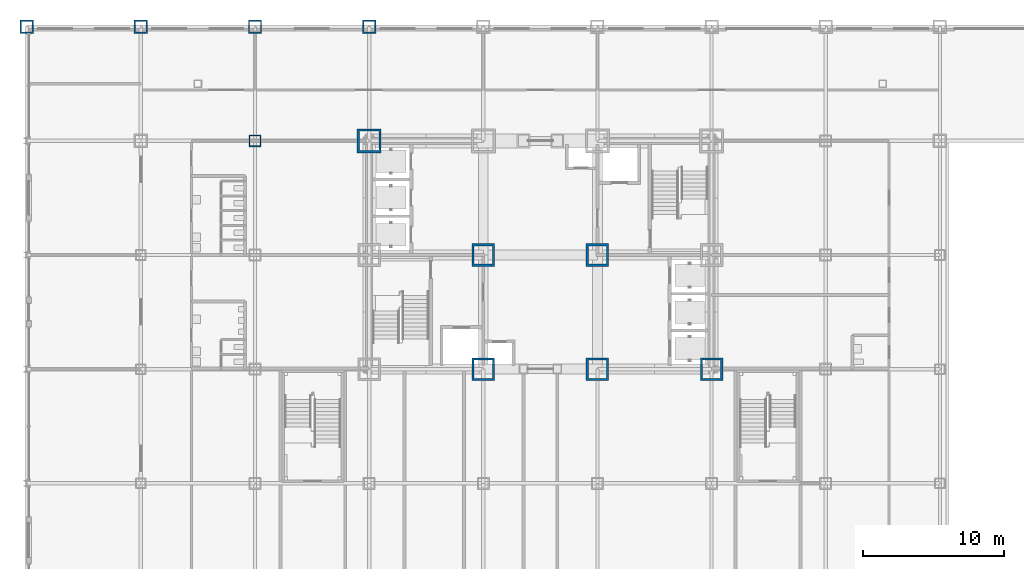
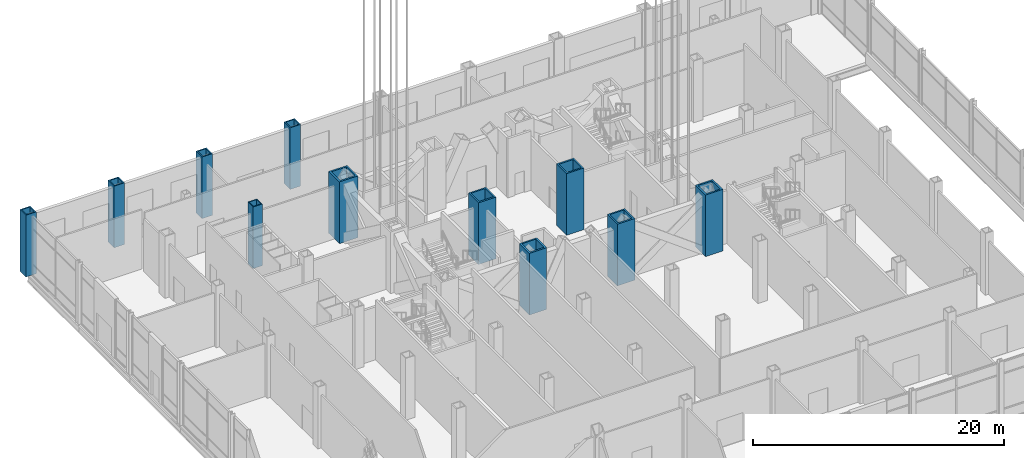
# One storey, part 6 of 35: 11 columns.
"""IFC4 building model written with IfcOpenShell, lengths in metres."""

from ifc_helpers import new_model, si_unit, direction, frame, origin, origin_2d, place, context, subcontext, project, spatial, hollow_rectangle, extrude, material, material_profile, profile_set, type_object, element, save


model = new_model("IFC4")

# Units and contexts
model_context = context("Model", 3, precision=1e-05, world=origin(), true_north=direction((0.0, 1.0)))
body_context = subcontext(model_context, "Body", "Model", "MODEL_VIEW")
ifc_project = project(units=[si_unit("LENGTHUNIT", "METRE"), si_unit("AREAUNIT", "SQUARE_METRE"), si_unit("VOLUMEUNIT", "CUBIC_METRE"), si_unit("PLANEANGLEUNIT", "RADIAN"), si_unit("MASSUNIT", "GRAM", prefix="KILO")], contexts=[model_context])

# Site, building, storey
site_placement = place(None, origin())
site = spatial("IfcSite", under=ifc_project, at=site_placement, CompositionType="ELEMENT")
building_placement = place(site_placement, origin())
building = spatial("IfcBuilding", under=site, at=building_placement, Name="Kopane Lantern Tower", CompositionType="ELEMENT")
storey_placement = place(building_placement, origin())
storey = spatial("IfcBuildingStorey", under=building, at=storey_placement, Name="L00", CompositionType="ELEMENT", Elevation=0.0)

# Columns
ifc_material_1 = material(Name="Steel S355JR", Category="steel")
ifc_material_profile_1 = material_profile(ifc_material_1, hollow_rectangle(XDim=1.60009765625, YDim=1.60009765625, WallThickness=0.14990234375, at=origin_2d()), Name="BOX 1600x1600x150")
ifc_profile_set_1 = profile_set([ifc_material_profile_1], Name="Steel S355JR")
column_type_1 = type_object("IfcColumnType", Name="COLUMN BOX 1600x1600x150", PredefinedType="COLUMN", material=ifc_profile_set_1)
for number, where, z_axis, x_axis, name in (
    (1, (24.300048828125, 24.300048828125, 0.0), (0.0, 0.0, 1.0), (1.0, 0.0, 0.0), "Column 5/E L00"),
    (2, (24.300048828125, 32.39990234375, 0.0), (0.0, 0.0, 1.0), (1.0, 0.0, 0.0), "Column 5/F L00"),
    (3, (32.39990234375, 24.300048828125, 0.0), (0.0, 0.0, 1.0), (1.0, 0.0, 0.0), "Column 6/E L00"),
    (4, (32.39990234375, 32.39990234375, 0.0), (0.0, 0.0, 1.0), (1.0, 0.0, 0.0), "Column 6/F L00"),
    (5, (40.5, 24.300048828125, 0.0), (0.0, 0.0, 1.0), (1.0, 0.0, 0.0), "Column 7/E L00"),
):
    element("IfcColumn", number, at=place(storey_placement, frame(where, z_axis=z_axis, x_axis=x_axis)), inside=storey, type_object=column_type_1, Name=name, PredefinedType="COLUMN", context=body_context, shape_type="SweptSolid", body=[
        extrude(hollow_rectangle(XDim=1.60009765625, YDim=1.60009765625, WallThickness=0.14990234375, at=origin_2d()), origin(), (0.0, 0.0, 1.0), 6.0),
    ])
ifc_material_2 = material(Name="Steel S355JR", Category="steel")
ifc_material_profile_2 = material_profile(ifc_material_2, hollow_rectangle(XDim=1.699951171875, YDim=1.699951171875, WallThickness=0.159912109375, at=origin_2d()), Name="BOX 1700x1700x160")
ifc_profile_set_2 = profile_set([ifc_material_profile_2], Name="Steel S355JR")
column_type_2 = type_object("IfcColumnType", Name="COLUMN BOX 1700x1700x160", PredefinedType="COLUMN", material=ifc_profile_set_2)
column_1_placement = place(storey_placement, frame((16.199951171875, 40.5, 0.0), z_axis=(0.0, 0.0, 1.0), x_axis=(1.0, 0.0, 0.0)))
element("IfcColumn", 6, at=column_1_placement, inside=storey, type_object=column_type_2, Name="Column 4/G L00", PredefinedType="COLUMN", context=body_context, shape_type="SweptSolid", body=[
    extrude(hollow_rectangle(XDim=1.699951171875, YDim=1.699951171875, WallThickness=0.159912109375, at=origin_2d()), origin(), (0.0, 0.0, 1.0), 6.0),
])
ifc_material_3 = material(Name="Steel S355JR", Category="steel")
ifc_material_profile_3 = material_profile(ifc_material_3, hollow_rectangle(XDim=0.85009765625, YDim=0.85009765625, WallThickness=0.0849609375, at=origin_2d()), Name="BOX 850x850x85")
ifc_profile_set_3 = profile_set([ifc_material_profile_3], Name="Steel S355JR")
column_type_3 = type_object("IfcColumnType", Name="COLUMN BOX 850x850x85", PredefinedType="COLUMN", material=ifc_profile_set_3)
column_2_placement = place(storey_placement, frame((8.10009765625, 40.5, 0.0), z_axis=(0.0, 0.0, 1.0), x_axis=(1.0, 0.0, 0.0)))
element("IfcColumn", 7, at=column_2_placement, inside=storey, type_object=column_type_3, Name="Column 3/G L00", PredefinedType="COLUMN", context=body_context, shape_type="SweptSolid", body=[
    extrude(hollow_rectangle(XDim=0.85009765625, YDim=0.85009765625, WallThickness=0.0849609375, at=origin_2d()), origin(), (0.0, 0.0, 1.0), 6.0),
])
ifc_material_4 = material(Name="Steel S355JR", Category="steel")
ifc_material_profile_4 = material_profile(ifc_material_4, hollow_rectangle(XDim=0.949951171875, YDim=0.949951171875, WallThickness=0.10009765625, at=origin_2d()), Name="BOX 950x950x100")
ifc_profile_set_4 = profile_set([ifc_material_profile_4], Name="Steel S355JR")
column_type_4 = type_object("IfcColumnType", Name="COLUMN BOX 950x950x100", PredefinedType="COLUMN", material=ifc_profile_set_4)
for number, where, z_axis, x_axis, name in (
    (8, (-8.10009765625, 48.60009765625, 0.0), (0.0, 0.0, 1.0), (1.0, 0.0, 0.0), "Column 1/H L00"),
    (9, (0.0, 48.60009765625, 0.0), (0.0, 0.0, 1.0), (1.0, 0.0, 0.0), "Column 2/H L00"),
    (10, (8.10009765625, 48.60009765625, 0.0), (0.0, 0.0, 1.0), (1.0, 0.0, 0.0), "Column 3/H L00"),
    (11, (16.199951171875, 48.60009765625, 0.0), (0.0, 0.0, 1.0), (1.0, 0.0, 0.0), "Column 4/H L00"),
):
    element("IfcColumn", number, at=place(storey_placement, frame(where, z_axis=z_axis, x_axis=x_axis)), inside=storey, type_object=column_type_4, Name=name, PredefinedType="COLUMN", context=body_context, shape_type="SweptSolid", body=[
        extrude(hollow_rectangle(XDim=0.949951171875, YDim=0.949951171875, WallThickness=0.10009765625, at=origin_2d()), origin(), (0.0, 0.0, 1.0), 6.0),
    ])

save(model, "model.ifc")
